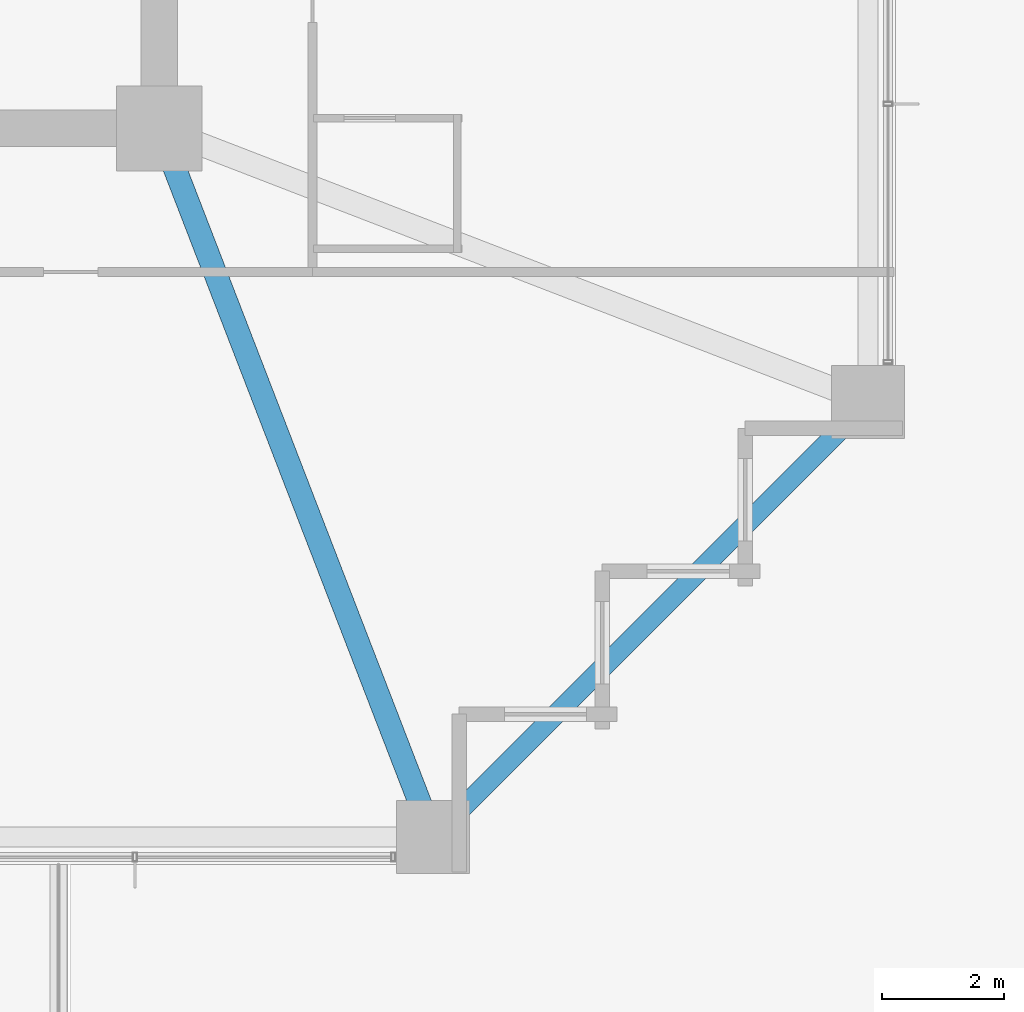
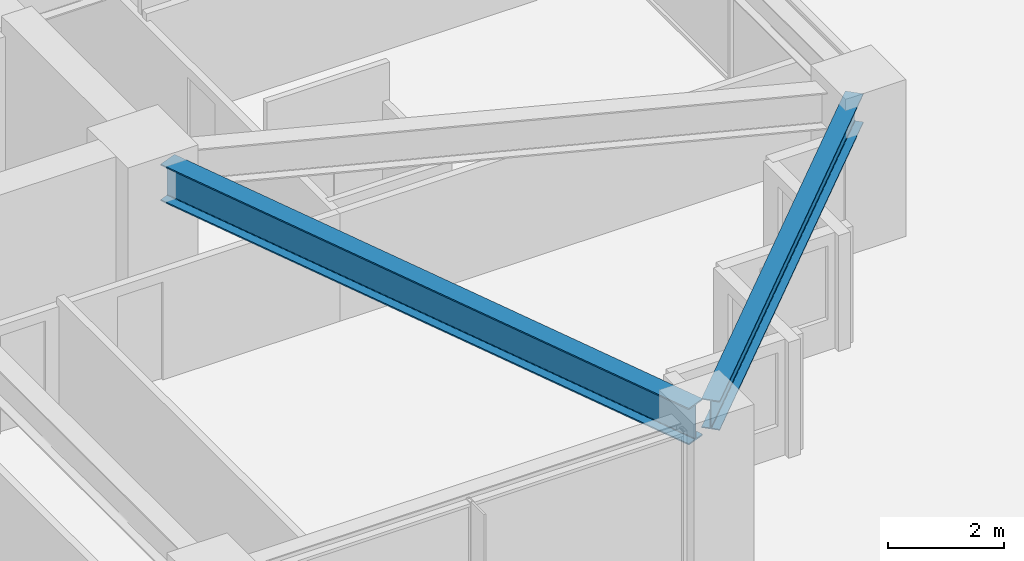
# One storey, part 11 of 36: 2 beams.
"""IFC4 building model written with IfcOpenShell, lengths in metres."""

import ifcopenshell
import ifcopenshell.guid

model = None  # the IFC model being written
_history = None  # IfcOwnerHistory: only IFC2X3 demands one
_inside = {}  # id of a spatial element -> (the spatial element, [elements in it])
_under = {}  # id of a project, library or spatial element -> (it, [spatial elements below it])
_declared = {}  # id of a project -> (the project, [libraries it declares])
_typed = {}  # id of a type object -> (the type object, [elements of that type])
_made_of = {}  # id of a material, layer set ... -> (it, [elements and type objects made of it])


def new_model(schema):
    """Start an empty IFC model of exactly this schema.

    Asked for "IFC4X3", IfcOpenShell would pick the latest addendum, in which some entities
    have other attributes; the version numbers below select the first issue.
    IFC2X3 requires an IfcOwnerHistory on every rooted entity: one is made here for all.
    """
    global model, _history
    if schema == "IFC4X3":
        model = ifcopenshell.file(schema_version=(4, 3, 0, 0))
    else:
        model = ifcopenshell.file(schema=schema)
    _inside.clear()
    _under.clear()
    _declared.clear()
    _typed.clear()
    _made_of.clear()
    _history = None
    if model.schema == "IFC2X3":
        org = make("IfcOrganization", Name="unknown")
        user = make(
            "IfcPersonAndOrganization",
            ThePerson=make("IfcPerson", FamilyName="unknown"),
            TheOrganization=org,
        )
        app = make(
            "IfcApplication",
            ApplicationDeveloper=org,
            Version="unknown",
            ApplicationFullName="unknown",
            ApplicationIdentifier="unknown",
        )
        _history = make(
            "IfcOwnerHistory",
            OwningUser=user,
            OwningApplication=app,
            ChangeAction="ADDED",
            CreationDate=0,
        )
    return model


def make(cls, **values):
    """One entity of the class cls with the attributes given. An attribute that is None is left unset."""
    return model.create_entity(
        cls, **{name: value for name, value in values.items() if value is not None}
    )


def rooted(cls, **values):
    """An entity with a GlobalId (a new one), such as an element, a storey or a relation."""
    return make(cls, GlobalId=ifcopenshell.guid.new(), OwnerHistory=_history, **values)


def si_unit(unit_type, name, prefix=None):
    """IfcSIUnit, for example si_unit("LENGTHUNIT", "METRE", prefix="MILLI")."""
    return make("IfcSIUnit", UnitType=unit_type, Prefix=prefix, Name=name)


def assignment(units):
    """IfcUnitAssignment: the units of a project."""
    return None if units is None else make("IfcUnitAssignment", Units=units)


def point(xyz):
    """IfcCartesianPoint."""
    return None if xyz is None else make("IfcCartesianPoint", Coordinates=xyz)


def direction(xyz):
    """IfcDirection."""
    return None if xyz is None else make("IfcDirection", DirectionRatios=xyz)


def frame(location, z_axis=None, x_axis=None):
    """IfcAxis2Placement3D, a coordinate frame: its origin and axes. An axis left out is left unset."""
    return make(
        "IfcAxis2Placement3D",
        Location=point(location),
        Axis=direction(z_axis),
        RefDirection=direction(x_axis),
    )


def frame_2d(location, x_axis=None):
    """IfcAxis2Placement2D, a coordinate frame in the plane: its origin and x axis."""
    return make(
        "IfcAxis2Placement2D", Location=point(location), RefDirection=direction(x_axis)
    )


def origin():
    """The frame at (0, 0, 0) with its axes left unset."""
    return frame((0.0, 0.0, 0.0))


def origin_2d():
    """The frame at (0, 0) in the plane with its x axis left unset."""
    return frame_2d((0.0, 0.0))


def place(relative_to, where):
    """IfcLocalPlacement: puts the frame where relative to a parent placement (None: the world)."""
    return make(
        "IfcLocalPlacement", PlacementRelTo=relative_to, RelativePlacement=where
    )


def context(
    kind, dimensions, precision=None, world=None, true_north=None, identifier=None
):
    """IfcGeometricRepresentationContext, for example the 3D "Model" context."""
    return make(
        "IfcGeometricRepresentationContext",
        ContextIdentifier=identifier,
        ContextType=kind,
        CoordinateSpaceDimension=dimensions,
        Precision=precision,
        WorldCoordinateSystem=world,
        TrueNorth=true_north,
    )


def subcontext(parent, identifier, kind, view, scale=None):
    """IfcGeometricRepresentationSubContext, for example "Body" below "Model"."""
    return make(
        "IfcGeometricRepresentationSubContext",
        ContextIdentifier=identifier,
        ContextType=kind,
        ParentContext=parent,
        TargetScale=scale,
        TargetView=view,
    )


def project(units=None, contexts=None):
    """IfcProject with its units and contexts."""
    return rooted(
        "IfcProject",
        Name="project",
        RepresentationContexts=contexts,
        UnitsInContext=assignment(units),
    )


def spatial(cls, under=None, at=None, **own):
    """A site, building, storey or space (cls), placed at a placement, below another one or the project."""
    s = rooted(cls, ObjectPlacement=at, **own)
    if under is not None:
        _under.setdefault(under.id(), (under, []))[1].append(s)
    return s


def profile(cls, at=None, kind="AREA", **sizes):
    """A parametric profile (cls). Its sizes go by their IFC names, for example OverallWidth=200.0."""
    return make(cls, ProfileType=kind, Position=at, **sizes)


def i_section(**sizes):
    """IfcIShapeProfileDef."""
    return profile("IfcIShapeProfileDef", **sizes)


def extrude(swept, where, along, depth):
    """IfcExtrudedAreaSolid: the profile swept, set in the frame where, extruded along a direction by depth."""
    return make(
        "IfcExtrudedAreaSolid",
        SweptArea=swept,
        Position=where,
        ExtrudedDirection=direction(along),
        Depth=depth,
    )


def shape(context_of_items, identifier, shape_type, items):
    """IfcShapeRepresentation: the items that make up one representation, for example the "Body"."""
    return make(
        "IfcShapeRepresentation",
        ContextOfItems=context_of_items,
        RepresentationIdentifier=identifier,
        RepresentationType=shape_type,
        Items=items,
    )


def material(Name=None, Category=None):
    """IfcMaterial."""
    return make("IfcMaterial", Name=Name, Category=Category)


def material_profile(
    of_material, cross_section, Name=None, Category=None, Priority=None
):
    """IfcMaterialProfile: a cross section and its material."""
    return make(
        "IfcMaterialProfile",
        Name=Name,
        Material=of_material,
        Profile=cross_section,
        Priority=Priority,
        Category=Category,
    )


def profile_set(profiles, Name=None, composite=None):
    """IfcMaterialProfileSet."""
    return make(
        "IfcMaterialProfileSet",
        Name=Name,
        MaterialProfiles=profiles,
        CompositeProfile=composite,
    )


def made_of(thing, what):
    """Note that an element or type object is made of a material, layer set ...; save() writes the relation."""
    if what is not None:
        _made_of.setdefault(what.id(), (what, []))[1].append(thing)
    return thing


def type_object(cls, material=None, **own):
    """A type object (cls), such as IfcWallType, which elements share."""
    return made_of(rooted(cls, **own), material)


def element(
    cls,
    number,
    at=None,
    inside=None,
    cuts=None,
    type_object=None,
    material=None,
    context=None,
    identifier="Body",
    shape_type=None,
    held_by="IfcProductDefinitionShape",
    body=None,
    shapes=None,
    **own,
):
    """One element of the class cls, such as IfcWall. Its Tag is "e" and its number.

    at: its placement. inside: the storey or other place that contains it. cuts: it is an
    opening in that element (IfcRelVoidsElement). A single representation is given by context,
    identifier, shape_type and body (its items); several are given by shapes. held_by: the class
    of the entity that holds the representations. save() writes the other relations.
    """
    e = rooted(cls, Tag="e%d" % number, ObjectPlacement=at, **own)
    if body is not None:
        shapes = [shape(context, identifier, shape_type, body)]
    if shapes is not None:
        e.Representation = make(held_by, Representations=shapes)
    if inside is not None:
        _inside.setdefault(inside.id(), (inside, []))[1].append(e)
    if cuts is not None:
        rooted(
            "IfcRelVoidsElement", RelatingBuildingElement=cuts, RelatedOpeningElement=e
        )
    if type_object is not None:
        _typed.setdefault(type_object.id(), (type_object, []))[1].append(e)
    return made_of(e, material)


def aggregate(whole, parts):
    """IfcRelAggregates: a whole, such as a stair, and the parts it consists of."""
    return rooted("IfcRelAggregates", RelatingObject=whole, RelatedObjects=parts)


def save(model, path):
    """Write the relations noted so far, then the file.

    IfcRelAggregates (storeys below a building ...), IfcRelContainedInSpatialStructure (elements
    in a storey), IfcRelDefinesByType, IfcRelAssociatesMaterial and IfcRelDeclares: one each for
    every whole, place, type object, material and project.
    """
    for whole, parts in _under.values():
        aggregate(whole, parts)
    for where, things in _inside.values():
        rooted(
            "IfcRelContainedInSpatialStructure",
            RelatedElements=things,
            RelatingStructure=where,
        )
    for kind, things in _typed.values():
        rooted("IfcRelDefinesByType", RelatedObjects=things, RelatingType=kind)
    for what, things in _made_of.values():
        rooted("IfcRelAssociatesMaterial", RelatedObjects=things, RelatingMaterial=what)
    for by, libraries in _declared.values():
        rooted("IfcRelDeclares", RelatingContext=by, RelatedDefinitions=libraries)
    model.write(path)


model = new_model("IFC4")

# Units and contexts
model_context = context("Model", 3, precision=1e-05, world=origin(), true_north=direction((0.0, 1.0)))
body_context = subcontext(model_context, "Body", "Model", "MODEL_VIEW")
ifc_project = project(units=[si_unit("LENGTHUNIT", "METRE"), si_unit("AREAUNIT", "SQUARE_METRE"), si_unit("VOLUMEUNIT", "CUBIC_METRE"), si_unit("PLANEANGLEUNIT", "RADIAN"), si_unit("MASSUNIT", "GRAM", prefix="KILO")], contexts=[model_context])

# Site, building, storey
site_placement = place(None, origin())
site = spatial("IfcSite", under=ifc_project, at=site_placement, CompositionType="ELEMENT")
building_placement = place(site_placement, origin())
building = spatial("IfcBuilding", under=site, at=building_placement, Name="Kolvaren Belvedere", CompositionType="ELEMENT")
storey_placement = place(building_placement, frame((0.0, 0.0, 23.800048828125)))
storey = spatial("IfcBuildingStorey", under=building, at=storey_placement, Name="L06", CompositionType="ELEMENT", Elevation=23.800048828125)

# Beams
ifc_material_1 = material(Name="Structural steel ASTM A992 Grade 50", Category="steel")
ifc_material_profile_1 = material_profile(ifc_material_1, i_section(OverallWidth=0.381103515625, OverallDepth=0.77294921875, WebThickness=0.0166015625, FlangeThickness=0.027099609375, FilletRadius=0.02392578125, at=origin_2d()), Name="W30X173")
ifc_profile_set_1 = profile_set([ifc_material_profile_1], Name="Structural steel ASTM A992 Grade 50")
beam_type_1 = type_object("IfcBeamType", Name="BM-GIRD-W30X173", PredefinedType="BEAM", material=ifc_profile_set_1)
beam_1_placement = place(storey_placement, frame((10.09814453125, -10.4130859375, 2.67333984375), z_axis=(0.360318391835, -0.932829382313, 0.0), x_axis=(0.932829382313, 0.360318391835, 0.0)))
element("IfcBeam", 1, at=beam_1_placement, inside=storey, type_object=beam_type_1, Name="L06 Corner Core-to-Perimeter Girder CC2-S4", PredefinedType="BEAM", context=body_context, shape_type="SweptSolid", body=[
    extrude(i_section(OverallWidth=0.381103515625, OverallDepth=0.77294921875, WebThickness=0.0166015625, FlangeThickness=0.027099609375, FilletRadius=0.02392578125, at=origin_2d()), origin(), (0.0, 0.0, 1.0), 11.698974609375),
])
ifc_material_2 = material(Name="Structural steel ASTM A992 Grade 50", Category="steel")
ifc_material_profile_2 = material_profile(ifc_material_2, i_section(OverallWidth=0.324951171875, OverallDepth=0.615966796875, WebThickness=0.013916015625, FlangeThickness=0.021484375, FilletRadius=0.02001953125, at=origin_2d()), Name="W24X117")
ifc_profile_set_2 = profile_set([ifc_material_profile_2], Name="Structural steel ASTM A992 Grade 50")
beam_type_2 = type_object("IfcBeamType", Name="BM-SPAN-W24X117", PredefinedType="SPANDREL", material=ifc_profile_set_2)
beam_2_placement = place(storey_placement, frame((14.5908203125, -21.359130859375, 2.751953125), z_axis=(0.707106781187, 0.707106781187, 0.0), x_axis=(-0.707106781187, 0.707106781187, 0.0)))
element("IfcBeam", 2, at=beam_2_placement, inside=storey, type_object=beam_type_2, Name="L06 Perimeter Spandrel S4-E1", PredefinedType="SPANDREL", context=body_context, shape_type="SweptSolid", body=[
    extrude(i_section(OverallWidth=0.324951171875, OverallDepth=0.615966796875, WebThickness=0.013916015625, FlangeThickness=0.021484375, FilletRadius=0.02001953125, at=origin_2d()), origin(), (0.0, 0.0, 1.0), 9.57177734375),
])

save(model, "model.ifc")
